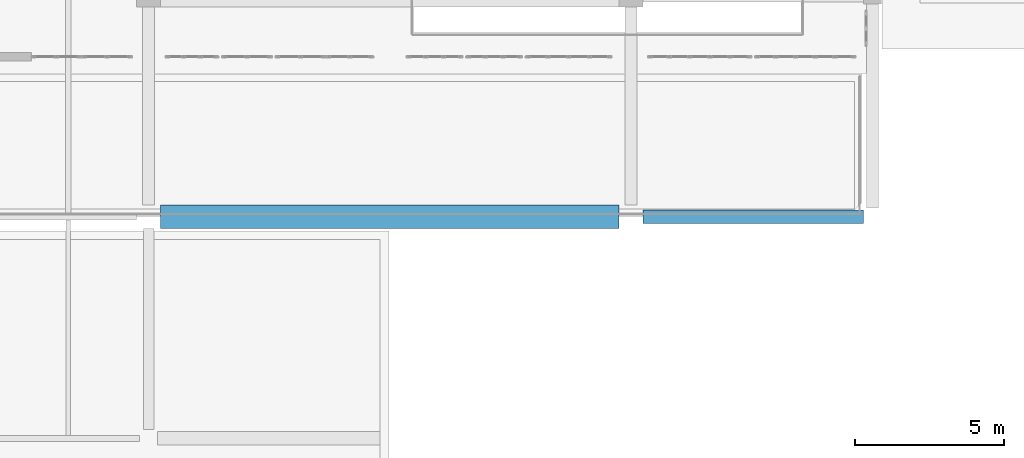
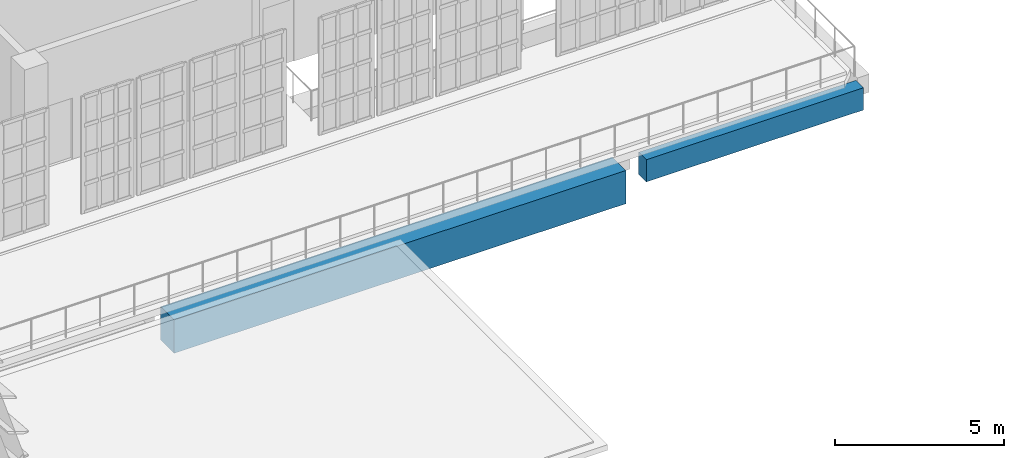
# One storey, part 9 of 56: 2 beams.
"""IFC4 building model written with IfcOpenShell, lengths in metres."""

from ifc_helpers import new_model, si_unit, direction, frame, origin, origin_2d, place, context, subcontext, project, spatial, rectangle, extrude, material, material_profile, profile_set, type_object, element, save


model = new_model("IFC4")

# Units and contexts
model_context = context("Model", 3, precision=1e-05, world=origin(), true_north=direction((0.0, 1.0)))
body_context = subcontext(model_context, "Body", "Model", "MODEL_VIEW")
ifc_project = project(units=[si_unit("LENGTHUNIT", "METRE"), si_unit("AREAUNIT", "SQUARE_METRE"), si_unit("VOLUMEUNIT", "CUBIC_METRE"), si_unit("PLANEANGLEUNIT", "RADIAN"), si_unit("MASSUNIT", "GRAM", prefix="KILO")], contexts=[model_context])

# Site, building, storey
site_placement = place(None, origin())
site = spatial("IfcSite", under=ifc_project, at=site_placement, CompositionType="ELEMENT")
building_placement = place(site_placement, origin())
building = spatial("IfcBuilding", under=site, at=building_placement, Name="Kaelora Sail Theatre", CompositionType="ELEMENT")
storey_placement = place(building_placement, frame((0.0, 0.0, 14.699951171875)))
storey = spatial("IfcBuildingStorey", under=building, at=storey_placement, Name="L03", CompositionType="ELEMENT", Elevation=14.699951171875)

# Beams
ifc_material_1 = material(Name="Concrete C45/55", Category="concrete")
ifc_material_profile_1 = material_profile(ifc_material_1, rectangle(XDim=0.449951171875, YDim=0.800048828125, at=origin_2d()), Name="RC-BM 450x800")
ifc_profile_set_1 = profile_set([ifc_material_profile_1], Name="Concrete C45/55")
beam_type_1 = type_object("IfcBeamType", Name="STR-BM-BM-RC4580", PredefinedType="BEAM", material=ifc_profile_set_1)
beam_1_placement = place(storey_placement, frame((82.89990234375, 61.02001953125, -0.675048828125), z_axis=(1.0, 0.0, 0.0), x_axis=(0.0, 1.0, 0.0)))
element("IfcBeam", 1, at=beam_1_placement, inside=storey, type_object=beam_type_1, Name="Primary beam I 11-12 (L03)", PredefinedType="BEAM", context=body_context, shape_type="SweptSolid", body=[
    extrude(rectangle(XDim=0.449951171875, YDim=0.800048828125, at=origin_2d()), origin(), (0.0, 0.0, 1.0), 7.400146484375),
])
ifc_material_2 = material(Name="Concrete C50/60", Category="concrete")
ifc_material_profile_2 = material_profile(ifc_material_2, rectangle(XDim=0.800048828125, YDim=1.199951171875, at=origin_2d()), Name="RC-SRB 800x1200")
ifc_profile_set_2 = profile_set([ifc_material_profile_2], Name="Concrete C50/60")
beam_type_2 = type_object("IfcBeamType", Name="STR-BM-SRB-8012", PredefinedType="T_BEAM", material=ifc_profile_set_2)
beam_2_placement = place(storey_placement, frame((66.699951171875, 61.02001953125, -0.875), z_axis=(1.0, 0.0, 0.0), x_axis=(0.0, 1.0, 0.0)))
element("IfcBeam", 2, at=beam_2_placement, inside=storey, type_object=beam_type_2, Name="Grand Foyer clear-span girder L03-I", PredefinedType="T_BEAM", context=body_context, shape_type="SweptSolid", body=[
    extrude(rectangle(XDim=0.800048828125, YDim=1.199951171875, at=origin_2d()), origin(), (0.0, 0.0, 1.0), 15.400146484375),
])

save(model, "model.ifc")
